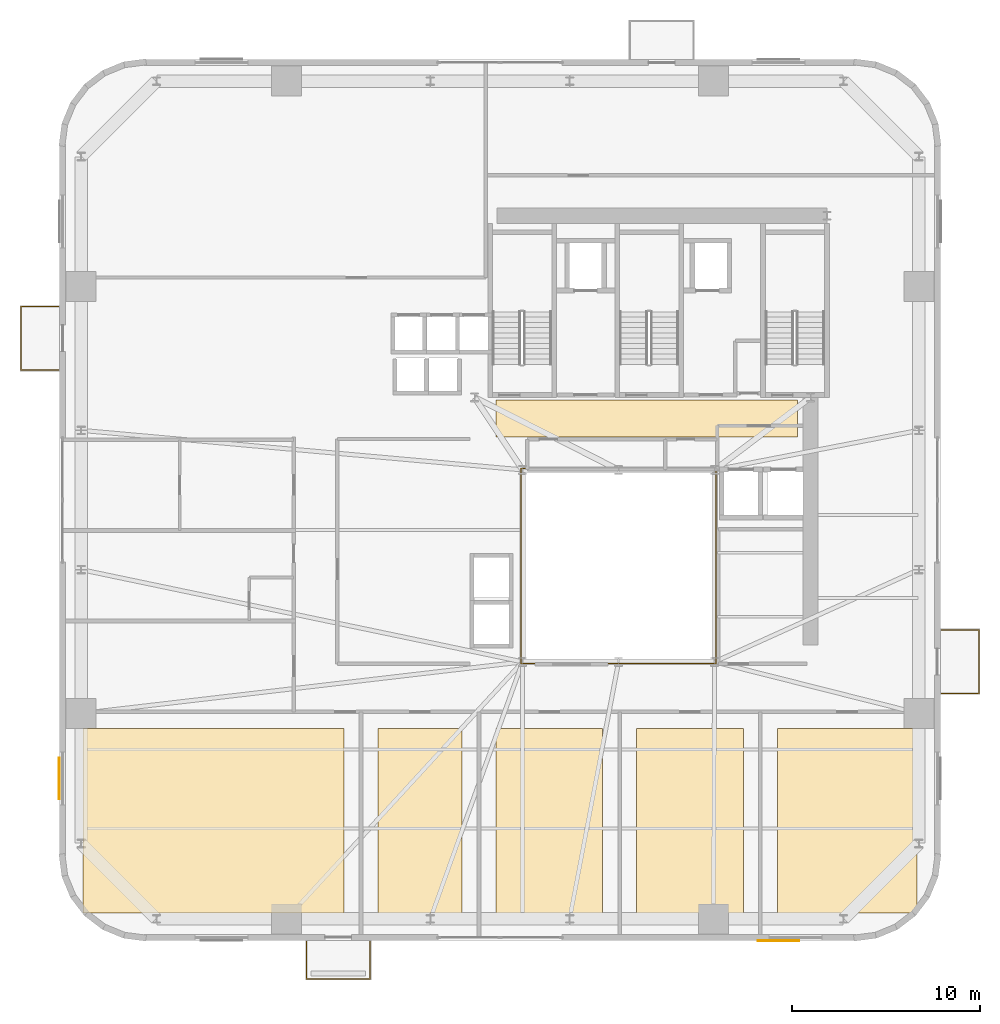
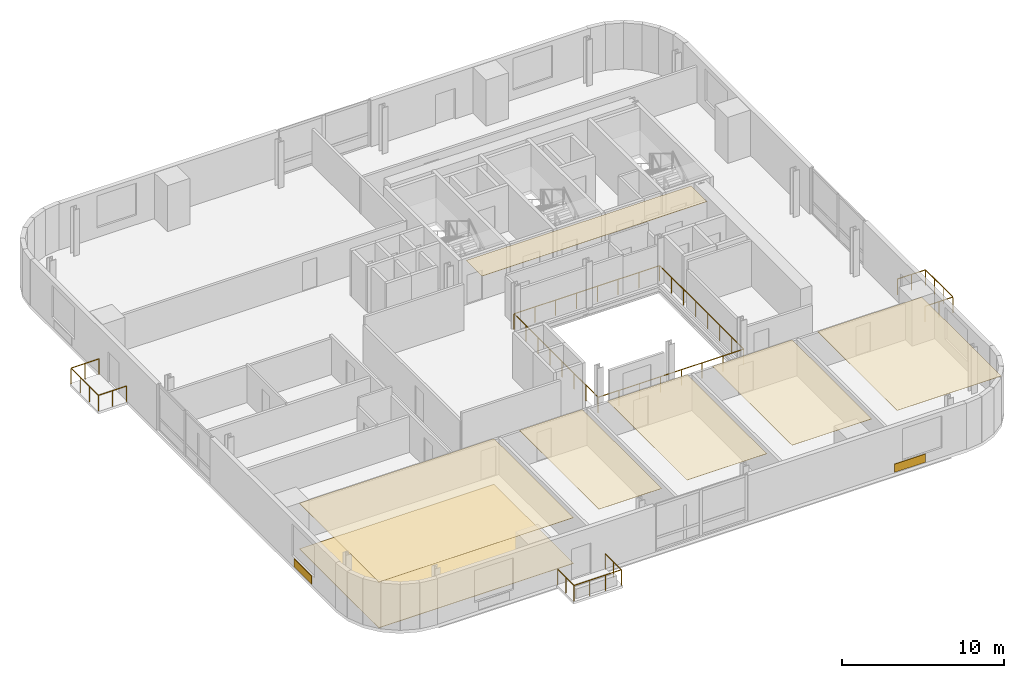
# One storey, part 10 of 12: 9 coverings, 4 railings.
"""IFC4 building model written with IfcOpenShell, lengths in metres."""

from ifc_helpers import new_model, si_unit, direction, frame, origin, origin_2d, place, context, subcontext, project, spatial, polyline, rectangle, outline, extrude, source, transform, mapped, material, layer, layer_set, type_object, element, save


model = new_model("IFC4")

# Units and contexts
model_context = context("Model", 3, precision=1e-05, world=origin(), true_north=direction((0.0, 1.0)))
body_context = subcontext(model_context, "Body", "Model", "MODEL_VIEW")
ifc_project = project(units=[si_unit("LENGTHUNIT", "METRE"), si_unit("AREAUNIT", "SQUARE_METRE"), si_unit("VOLUMEUNIT", "CUBIC_METRE"), si_unit("PLANEANGLEUNIT", "RADIAN"), si_unit("MASSUNIT", "GRAM", prefix="KILO")], contexts=[model_context])

# Site, building, storey
site_placement = place(None, origin())
site = spatial("IfcSite", under=ifc_project, at=site_placement, CompositionType="ELEMENT")
building_placement = place(site_placement, origin())
building = spatial("IfcBuilding", under=site, at=building_placement, Name="Vardaveli Station Tower", CompositionType="ELEMENT")
storey_placement = place(building_placement, frame((0.0, 0.0, 118.699951171875)))
storey = spatial("IfcBuildingStorey", under=building, at=storey_placement, Name="L30", CompositionType="ELEMENT", Elevation=118.699951171875)

# Coverings
ifc_material_1 = material(Name="Perforated acoustic mineral ceiling")
ifc_layer_1 = layer(ifc_material_1, 0.02001953125, Name="Perforated acoustic mineral ceiling")
ifc_layer_set_1 = layer_set([ifc_layer_1], Name="Perforated acoustic mineral ceiling")
covering_type_1 = type_object("IfcCoveringType", Name="COV-CEIL-AC20", PredefinedType="CEILING", material=ifc_layer_set_1)
covering_1_placement = place(storey_placement, frame((0.0, 0.0, 3.445068359375)))
element("IfcCovering", 1, at=covering_1_placement, inside=storey, type_object=covering_type_1, Name="CEIL-L30-1", PredefinedType="CEILING", context=body_context, shape_type="SweptSolid", body=[
    extrude(outline(polyline([(7.85009765625, 3.25), (21.71044921875, 3.25), (21.71044921875, 13.050048828125), (7.85009765625, 13.050048828125), (7.85009765625, 3.25)])), origin(), (0.0, 0.0, 1.0), 0.02001953125),
])
covering_2_placement = place(storey_placement, frame((0.0, 0.0, 3.445068359375)))
element("IfcCovering", 2, at=covering_2_placement, inside=storey, type_object=covering_type_1, Name="CEIL-L30-2", PredefinedType="CEILING", context=body_context, shape_type="SweptSolid", body=[
    extrude(outline(polyline([(23.510498046875, 3.25), (27.9833984375, 3.25), (27.9833984375, 13.050048828125), (23.510498046875, 13.050048828125), (23.510498046875, 3.25)])), origin(), (0.0, 0.0, 1.0), 0.02001953125),
])
covering_3_placement = place(storey_placement, frame((0.0, 0.0, 3.445068359375)))
element("IfcCovering", 3, at=covering_3_placement, inside=storey, type_object=covering_type_1, Name="CEIL-L30-3", PredefinedType="CEILING", context=body_context, shape_type="SweptSolid", body=[
    extrude(outline(polyline([(29.783203125, 3.25), (35.456787109375, 3.25), (35.456787109375, 13.050048828125), (29.783203125, 13.050048828125), (29.783203125, 3.25)])), origin(), (0.0, 0.0, 1.0), 0.02001953125),
])
covering_4_placement = place(storey_placement, frame((0.0, 0.0, 3.445068359375)))
element("IfcCovering", 4, at=covering_4_placement, inside=storey, type_object=covering_type_1, Name="CEIL-L30-4", PredefinedType="CEILING", context=body_context, shape_type="SweptSolid", body=[
    extrude(outline(polyline([(37.256591796875, 3.25), (42.929931640625, 3.25), (42.929931640625, 13.050048828125), (37.256591796875, 13.050048828125), (37.256591796875, 3.25)])), origin(), (0.0, 0.0, 1.0), 0.02001953125),
])
covering_5_placement = place(storey_placement, frame((0.0, 0.0, 3.445068359375)))
element("IfcCovering", 5, at=covering_5_placement, inside=storey, type_object=covering_type_1, Name="CEIL-L30-5", PredefinedType="CEILING", context=body_context, shape_type="SweptSolid", body=[
    extrude(outline(polyline([(44.72998046875, 3.25), (52.14990234375, 3.25), (52.14990234375, 13.050048828125), (44.72998046875, 13.050048828125), (44.72998046875, 3.25)])), origin(), (0.0, 0.0, 1.0), 0.02001953125),
])
covering_6_placement = place(storey_placement, frame((0.0, 0.0, 3.445068359375)))
element("IfcCovering", 6, at=covering_6_placement, inside=storey, type_object=covering_type_1, Name="CEIL-L30-6", PredefinedType="CEILING", context=body_context, shape_type="SweptSolid", body=[
    extrude(outline(polyline([(29.800048828125, 28.550048828125), (45.800048828125, 28.550048828125), (45.800048828125, 30.5), (29.800048828125, 30.5), (29.800048828125, 28.550048828125)])), origin(), (0.0, 0.0, 1.0), 0.02001953125),
])
ifc_material_2 = material(Name="Honed Caucasian basalt and travertine flooring", Category="masonry")
ifc_layer_2 = layer(ifc_material_2, 0.030029296875, Name="Honed Caucasian basalt and travertine flooring")
ifc_layer_set_2 = layer_set([ifc_layer_2], Name="Honed Caucasian basalt and travertine flooring")
covering_type_2 = type_object("IfcCoveringType", Name="COV-FLOOR-ST30", PredefinedType="FLOORING", material=ifc_layer_set_2)
covering_7_placement = place(storey_placement, origin())
element("IfcCovering", 7, at=covering_7_placement, inside=storey, type_object=covering_type_2, Name="FLR-L30-1", PredefinedType="FLOORING", context=body_context, shape_type="SweptSolid", body=[
    extrude(outline(polyline([(7.85009765625, 3.25), (21.71044921875, 3.25), (21.71044921875, 13.050048828125), (7.85009765625, 13.050048828125), (7.85009765625, 3.25)])), origin(), (0.0, 0.0, 1.0), 0.030029296875),
])
ifc_material_3 = material(Name="Ventilated honed travertine stone cladding", Category="masonry")
ifc_layer_3 = layer(ifc_material_3, 0.044921875, Name="Ventilated honed travertine stone cladding")
ifc_layer_set_3 = layer_set([ifc_layer_3], Name="Ventilated honed travertine stone cladding")
covering_type_3 = type_object("IfcCoveringType", Name="COV-CLAD-TR45", PredefinedType="CLADDING", material=ifc_layer_set_3)
shared_shape_1 = source(origin(), body_context, "Body", "SweptSolid", [
    extrude(rectangle(XDim=2.199951171875, YDim=0.044921875, at=origin_2d()), origin(), (0.0, 0.0, 1.0), 0.6201171875),
])
for number, where, z_axis, x_axis, name in (
    (8, (44.794921875, 1.785400390625, 0.070068359375), (0.0, 0.0, 1.0), (1.0, 0.0, 0.0), "CLD-TR-L30-S"),
    (9, (6.58544921875, 10.405029296875, 0.070068359375), (0.0, 0.0, 1.0), (0.0, 1.0, 0.0), "CLD-TR-L30-W"),
):
    element("IfcCovering", number, at=place(storey_placement, frame(where, z_axis=z_axis, x_axis=x_axis)), inside=storey, type_object=covering_type_3, Name=name, PredefinedType="CLADDING", context=body_context, shape_type="MappedRepresentation", body=[
        mapped(shared_shape_1, transform((0.0, 0.0, 0.0), scale=1.0)),
    ])

# Railings
ifc_material_4 = material(Name="Laminated glass and stainless steel balustrade", Category="steel")
railing_type = type_object("IfcRailingType", Name="RL-BAL-1200", PredefinedType="BALUSTRADE", material=ifc_material_4)
shared_shape_2 = source(origin(), body_context, "Body", "SweptSolid", [
    extrude(rectangle(XDim=0.048095703125, YDim=0.048095703125, at=origin_2d()), frame((0.0, 0.0, 1.17578125), z_axis=(0.0, -1.0, 0.0), x_axis=(1.0, 0.0, 0.0)), (0.0, 0.0, 1.0), 2.0),
    extrude(rectangle(XDim=0.048095703125, YDim=0.048095703125, at=origin_2d()), frame((0.0, -2.0, 1.17578125), z_axis=(1.0, 0.0, 0.0), x_axis=(0.0, 1.0, 0.0)), (0.0, 0.0, 1.0), 3.3798828125),
    extrude(rectangle(XDim=0.048095703125, YDim=0.048095703125, at=origin_2d()), frame((3.3798828125, -2.0, 1.17578125), z_axis=(0.0, 1.0, 0.0), x_axis=(-1.0, 0.0, 0.0)), (0.0, 0.0, 1.0), 2.0),
    extrude(rectangle(XDim=0.0419921875, YDim=0.0419921875, at=origin_2d()), origin(), (0.0, 0.0, 1.0), 1.15185546875),
    extrude(rectangle(XDim=0.0419921875, YDim=0.0419921875, at=origin_2d()), frame((0.0, -1.0, 0.0)), (0.0, 0.0, 1.0), 1.15185546875),
    extrude(rectangle(XDim=0.0419921875, YDim=0.0419921875, at=origin_2d()), frame((0.0, -2.0, 0.0)), (0.0, 0.0, 1.0), 1.15185546875),
    extrude(rectangle(XDim=0.0419921875, YDim=0.0419921875, at=origin_2d()), frame((1.126708984375, -2.0, 0.0)), (0.0, 0.0, 1.0), 1.15185546875),
    extrude(rectangle(XDim=0.0419921875, YDim=0.0419921875, at=origin_2d()), frame((2.253173828125, -2.0, 0.0)), (0.0, 0.0, 1.0), 1.15185546875),
    extrude(rectangle(XDim=0.0419921875, YDim=0.0419921875, at=origin_2d()), frame((3.3798828125, -2.0, 0.0)), (0.0, 0.0, 1.0), 1.15185546875),
    extrude(rectangle(XDim=0.0419921875, YDim=0.0419921875, at=origin_2d()), frame((3.3798828125, -1.0, 0.0)), (0.0, 0.0, 1.0), 1.15185546875),
    extrude(rectangle(XDim=0.0419921875, YDim=0.0419921875, at=origin_2d()), frame((3.3798828125, 0.0, 0.0)), (0.0, 0.0, 1.0), 1.15185546875),
])
railing_1_placement = place(storey_placement, frame((19.720458984375, 1.760009765625, 0.0)))
element("IfcRailing", 10, at=railing_1_placement, inside=storey, type_object=railing_type, Name="RL-LOG-L30-01", PredefinedType="BALUSTRADE", context=body_context, shape_type="MappedRepresentation", body=[
    mapped(shared_shape_2, transform((0.0, 0.0, 0.0), scale=1.0)),
])
shared_shape_3 = source(origin(), body_context, "Body", "SweptSolid", [
    extrude(rectangle(XDim=0.048095703125, YDim=0.048095703125, at=origin_2d()), frame((0.0, 0.0, 1.17578125), z_axis=(1.0, 0.0, 0.0), x_axis=(0.0, 1.0, 0.0)), (0.0, 0.0, 1.0), 2.0),
    extrude(rectangle(XDim=0.048095703125, YDim=0.048095703125, at=origin_2d()), frame((2.0, 0.0, 1.17578125), z_axis=(0.0, 1.0, 0.0), x_axis=(-1.0, 0.0, 0.0)), (0.0, 0.0, 1.0), 3.3798828125),
    extrude(rectangle(XDim=0.048095703125, YDim=0.048095703125, at=origin_2d()), frame((2.0, 3.3798828125, 1.17578125), z_axis=(-1.0, 0.0, 0.0), x_axis=(0.0, -1.0, 0.0)), (0.0, 0.0, 1.0), 2.0),
    extrude(rectangle(XDim=0.0419921875, YDim=0.0419921875, at=origin_2d()), origin(), (0.0, 0.0, 1.0), 1.15185546875),
    extrude(rectangle(XDim=0.0419921875, YDim=0.0419921875, at=origin_2d()), frame((1.0, 0.0, 0.0)), (0.0, 0.0, 1.0), 1.15185546875),
    extrude(rectangle(XDim=0.0419921875, YDim=0.0419921875, at=origin_2d()), frame((2.0, 0.0, 0.0)), (0.0, 0.0, 1.0), 1.15185546875),
    extrude(rectangle(XDim=0.0419921875, YDim=0.0419921875, at=origin_2d()), frame((2.0, 1.126708984375, 0.0)), (0.0, 0.0, 1.0), 1.15185546875),
    extrude(rectangle(XDim=0.0419921875, YDim=0.0419921875, at=origin_2d()), frame((2.0, 2.253173828125, 0.0)), (0.0, 0.0, 1.0), 1.15185546875),
    extrude(rectangle(XDim=0.0419921875, YDim=0.0419921875, at=origin_2d()), frame((2.0, 3.3798828125, 0.0)), (0.0, 0.0, 1.0), 1.15185546875),
    extrude(rectangle(XDim=0.0419921875, YDim=0.0419921875, at=origin_2d()), frame((1.0, 3.3798828125, 0.0)), (0.0, 0.0, 1.0), 1.15185546875),
    extrude(rectangle(XDim=0.0419921875, YDim=0.0419921875, at=origin_2d()), frame((0.0, 3.3798828125, 0.0)), (0.0, 0.0, 1.0), 1.15185546875),
])
railing_2_placement = place(storey_placement, frame((53.43994140625, 14.92041015625, 0.0)))
element("IfcRailing", 11, at=railing_2_placement, inside=storey, type_object=railing_type, Name="RL-LOG-L30-04", PredefinedType="BALUSTRADE", context=body_context, shape_type="MappedRepresentation", body=[
    mapped(shared_shape_3, transform((0.0, 0.0, 0.0), scale=1.0)),
])
shared_shape_4 = source(origin(), body_context, "Body", "SweptSolid", [
    extrude(rectangle(XDim=0.048095703125, YDim=0.048095703125, at=origin_2d()), frame((0.0, 0.0, 1.17578125), z_axis=(-1.0, 0.0, 0.0), x_axis=(0.0, -1.0, 0.0)), (0.0, 0.0, 1.0), 2.0),
    extrude(rectangle(XDim=0.048095703125, YDim=0.048095703125, at=origin_2d()), frame((-2.0, 0.0, 1.17578125), z_axis=(0.0, 1.0, 0.0), x_axis=(-1.0, 0.0, 0.0)), (0.0, 0.0, 1.0), 3.3798828125),
    extrude(rectangle(XDim=0.048095703125, YDim=0.048095703125, at=origin_2d()), frame((-2.0, 3.3798828125, 1.17578125), z_axis=(1.0, 0.0, 0.0), x_axis=(0.0, 1.0, 0.0)), (0.0, 0.0, 1.0), 2.0),
    extrude(rectangle(XDim=0.0419921875, YDim=0.0419921875, at=origin_2d()), origin(), (0.0, 0.0, 1.0), 1.15185546875),
    extrude(rectangle(XDim=0.0419921875, YDim=0.0419921875, at=origin_2d()), frame((-1.0, 0.0, 0.0)), (0.0, 0.0, 1.0), 1.15185546875),
    extrude(rectangle(XDim=0.0419921875, YDim=0.0419921875, at=origin_2d()), frame((-2.0, 0.0, 0.0)), (0.0, 0.0, 1.0), 1.15185546875),
    extrude(rectangle(XDim=0.0419921875, YDim=0.0419921875, at=origin_2d()), frame((-2.0, 1.126708984375, 0.0)), (0.0, 0.0, 1.0), 1.15185546875),
    extrude(rectangle(XDim=0.0419921875, YDim=0.0419921875, at=origin_2d()), frame((-2.0, 2.253173828125, 0.0)), (0.0, 0.0, 1.0), 1.15185546875),
    extrude(rectangle(XDim=0.0419921875, YDim=0.0419921875, at=origin_2d()), frame((-2.0, 3.3798828125, 0.0)), (0.0, 0.0, 1.0), 1.15185546875),
    extrude(rectangle(XDim=0.0419921875, YDim=0.0419921875, at=origin_2d()), frame((-1.0, 3.3798828125, 0.0)), (0.0, 0.0, 1.0), 1.15185546875),
    extrude(rectangle(XDim=0.0419921875, YDim=0.0419921875, at=origin_2d()), frame((0.0, 3.3798828125, 0.0)), (0.0, 0.0, 1.0), 1.15185546875),
])
railing_3_placement = place(storey_placement, frame((6.56005859375, 32.099609375, 0.0)))
element("IfcRailing", 12, at=railing_3_placement, inside=storey, type_object=railing_type, Name="RL-LOG-L30-03", PredefinedType="BALUSTRADE", context=body_context, shape_type="MappedRepresentation", body=[
    mapped(shared_shape_4, transform((0.0, 0.0, 0.0), scale=1.0)),
])
shared_shape_5 = source(origin(), body_context, "Body", "SweptSolid", [
    extrude(rectangle(XDim=0.048095703125, YDim=0.048095703125, at=origin_2d()), frame((0.0, 0.0, 1.17578125), z_axis=(1.0, 0.0, 0.0), x_axis=(0.0, 1.0, 0.0)), (0.0, 0.0, 1.0), 10.35986328125),
    extrude(rectangle(XDim=0.048095703125, YDim=0.048095703125, at=origin_2d()), frame((10.35986328125, 0.0, 1.17578125), z_axis=(0.0, 1.0, 0.0), x_axis=(-1.0, 0.0, 0.0)), (0.0, 0.0, 1.0), 10.35986328125),
    extrude(rectangle(XDim=0.048095703125, YDim=0.048095703125, at=origin_2d()), frame((10.35986328125, 10.35986328125, 1.17578125), z_axis=(-1.0, 0.0, 0.0), x_axis=(0.0, -1.0, 0.0)), (0.0, 0.0, 1.0), 10.35986328125),
    extrude(rectangle(XDim=0.048095703125, YDim=0.048095703125, at=origin_2d()), frame((0.0, 10.35986328125, 1.17578125), z_axis=(0.0, -1.0, 0.0), x_axis=(1.0, 0.0, 0.0)), (0.0, 0.0, 1.0), 10.35986328125),
    extrude(rectangle(XDim=0.0419921875, YDim=0.0419921875, at=origin_2d()), origin(), (0.0, 0.0, 1.0), 1.15185546875),
    extrude(rectangle(XDim=0.0419921875, YDim=0.0419921875, at=origin_2d()), frame((1.47998046875, 0.0, 0.0)), (0.0, 0.0, 1.0), 1.15185546875),
    extrude(rectangle(XDim=0.0419921875, YDim=0.0419921875, at=origin_2d()), frame((2.9599609375, 0.0, 0.0)), (0.0, 0.0, 1.0), 1.15185546875),
    extrude(rectangle(XDim=0.0419921875, YDim=0.0419921875, at=origin_2d()), frame((4.43994140625, 0.0, 0.0)), (0.0, 0.0, 1.0), 1.15185546875),
    extrude(rectangle(XDim=0.0419921875, YDim=0.0419921875, at=origin_2d()), frame((5.919921875, 0.0, 0.0)), (0.0, 0.0, 1.0), 1.15185546875),
    extrude(rectangle(XDim=0.0419921875, YDim=0.0419921875, at=origin_2d()), frame((7.39990234375, 0.0, 0.0)), (0.0, 0.0, 1.0), 1.15185546875),
    extrude(rectangle(XDim=0.0419921875, YDim=0.0419921875, at=origin_2d()), frame((8.8798828125, 0.0, 0.0)), (0.0, 0.0, 1.0), 1.15185546875),
    extrude(rectangle(XDim=0.0419921875, YDim=0.0419921875, at=origin_2d()), frame((10.35986328125, 0.0, 0.0)), (0.0, 0.0, 1.0), 1.15185546875),
    extrude(rectangle(XDim=0.0419921875, YDim=0.0419921875, at=origin_2d()), frame((10.35986328125, 1.47998046875, 0.0)), (0.0, 0.0, 1.0), 1.15185546875),
    extrude(rectangle(XDim=0.0419921875, YDim=0.0419921875, at=origin_2d()), frame((10.35986328125, 2.9599609375, 0.0)), (0.0, 0.0, 1.0), 1.15185546875),
    extrude(rectangle(XDim=0.0419921875, YDim=0.0419921875, at=origin_2d()), frame((10.35986328125, 4.43994140625, 0.0)), (0.0, 0.0, 1.0), 1.15185546875),
    extrude(rectangle(XDim=0.0419921875, YDim=0.0419921875, at=origin_2d()), frame((10.35986328125, 5.919921875, 0.0)), (0.0, 0.0, 1.0), 1.15185546875),
    extrude(rectangle(XDim=0.0419921875, YDim=0.0419921875, at=origin_2d()), frame((10.35986328125, 7.39990234375, 0.0)), (0.0, 0.0, 1.0), 1.15185546875),
    extrude(rectangle(XDim=0.0419921875, YDim=0.0419921875, at=origin_2d()), frame((10.35986328125, 8.8798828125, 0.0)), (0.0, 0.0, 1.0), 1.15185546875),
    extrude(rectangle(XDim=0.0419921875, YDim=0.0419921875, at=origin_2d()), frame((10.35986328125, 10.35986328125, 0.0)), (0.0, 0.0, 1.0), 1.15185546875),
    extrude(rectangle(XDim=0.0419921875, YDim=0.0419921875, at=origin_2d()), frame((8.8798828125, 10.35986328125, 0.0)), (0.0, 0.0, 1.0), 1.15185546875),
    extrude(rectangle(XDim=0.0419921875, YDim=0.0419921875, at=origin_2d()), frame((7.39990234375, 10.35986328125, 0.0)), (0.0, 0.0, 1.0), 1.15185546875),
    extrude(rectangle(XDim=0.0419921875, YDim=0.0419921875, at=origin_2d()), frame((5.919921875, 10.35986328125, 0.0)), (0.0, 0.0, 1.0), 1.15185546875),
    extrude(rectangle(XDim=0.0419921875, YDim=0.0419921875, at=origin_2d()), frame((4.43994140625, 10.35986328125, 0.0)), (0.0, 0.0, 1.0), 1.15185546875),
    extrude(rectangle(XDim=0.0419921875, YDim=0.0419921875, at=origin_2d()), frame((2.9599609375, 10.35986328125, 0.0)), (0.0, 0.0, 1.0), 1.15185546875),
    extrude(rectangle(XDim=0.0419921875, YDim=0.0419921875, at=origin_2d()), frame((1.47998046875, 10.35986328125, 0.0)), (0.0, 0.0, 1.0), 1.15185546875),
    extrude(rectangle(XDim=0.0419921875, YDim=0.0419921875, at=origin_2d()), frame((0.0, 10.35986328125, 0.0)), (0.0, 0.0, 1.0), 1.15185546875),
    extrude(rectangle(XDim=0.0419921875, YDim=0.0419921875, at=origin_2d()), frame((0.0, 8.8798828125, 0.0)), (0.0, 0.0, 1.0), 1.15185546875),
    extrude(rectangle(XDim=0.0419921875, YDim=0.0419921875, at=origin_2d()), frame((0.0, 7.39990234375, 0.0)), (0.0, 0.0, 1.0), 1.15185546875),
    extrude(rectangle(XDim=0.0419921875, YDim=0.0419921875, at=origin_2d()), frame((0.0, 5.919921875, 0.0)), (0.0, 0.0, 1.0), 1.15185546875),
    extrude(rectangle(XDim=0.0419921875, YDim=0.0419921875, at=origin_2d()), frame((0.0, 4.43994140625, 0.0)), (0.0, 0.0, 1.0), 1.15185546875),
    extrude(rectangle(XDim=0.0419921875, YDim=0.0419921875, at=origin_2d()), frame((0.0, 2.9599609375, 0.0)), (0.0, 0.0, 1.0), 1.15185546875),
    extrude(rectangle(XDim=0.0419921875, YDim=0.0419921875, at=origin_2d()), frame((0.0, 1.47998046875, 0.0)), (0.0, 0.0, 1.0), 1.15185546875),
])
railing_4_placement = place(storey_placement, frame((31.1201171875, 16.52001953125, 0.0)))
element("IfcRailing", 13, at=railing_4_placement, inside=storey, type_object=railing_type, Name="RL-ATR-L30", PredefinedType="BALUSTRADE", context=body_context, shape_type="MappedRepresentation", body=[
    mapped(shared_shape_5, transform((0.0, 0.0, 0.0), scale=1.0)),
])

save(model, "model.ifc")
